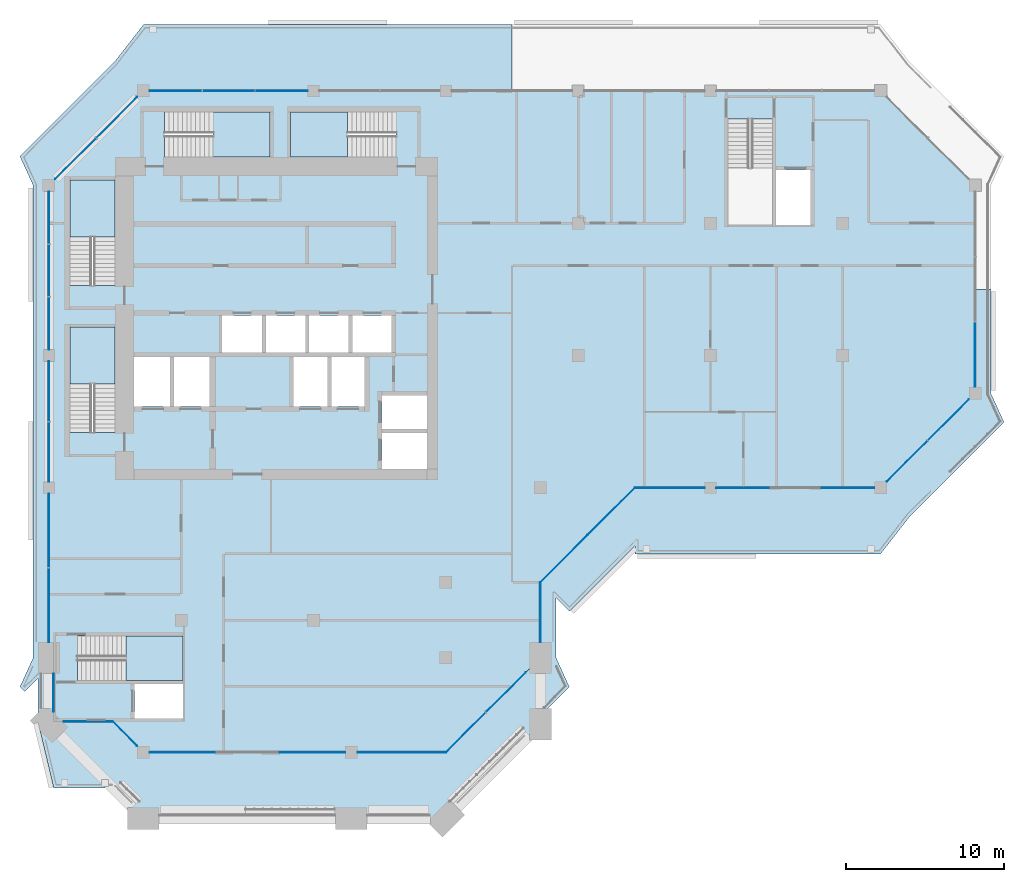
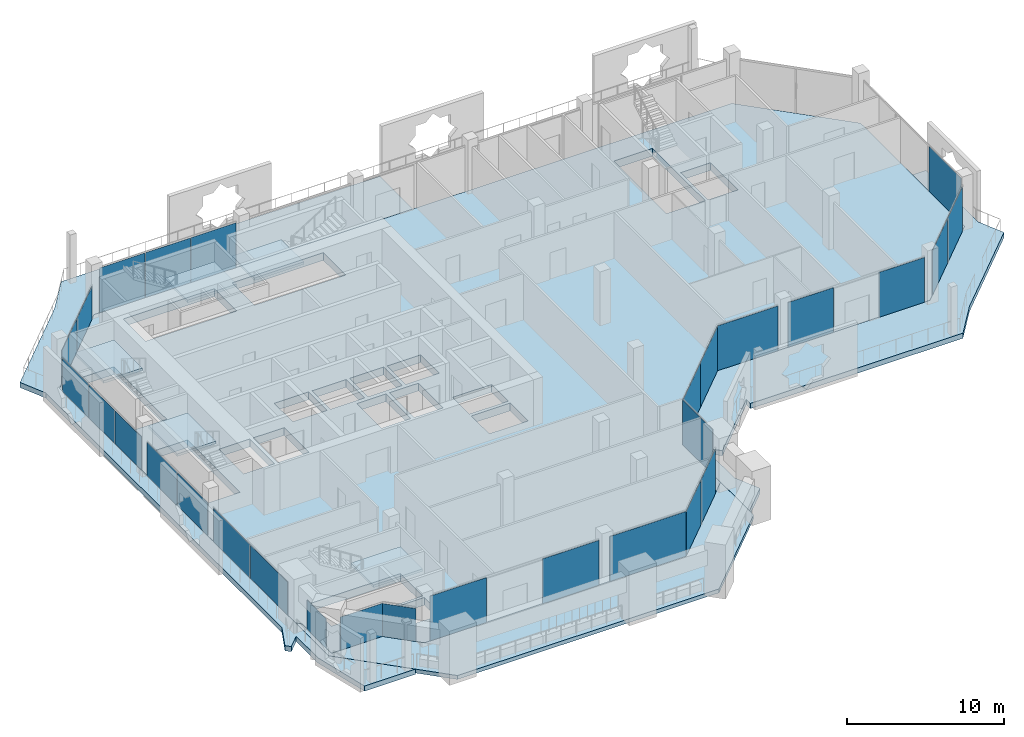
# One storey, part 9 of 20: 29 plates, 9 slabs, 18 elements without a shape of their own.
"""IFC4 building model written with IfcOpenShell, lengths in metres."""

from ifc_helpers import new_model, si_unit, direction, frame, origin, origin_2d, place, context, subcontext, project, spatial, polyline, rectangle, outline, extrude, material, layer, layer_set, type_object, element, aggregate, save


model = new_model("IFC4")

# Units and contexts
model_context = context("Model", 3, precision=1e-05, world=origin(), true_north=direction((0.0, 1.0)))
body_context = subcontext(model_context, "Body", "Model", "MODEL_VIEW")
ifc_project = project(units=[si_unit("LENGTHUNIT", "METRE"), si_unit("AREAUNIT", "SQUARE_METRE"), si_unit("VOLUMEUNIT", "CUBIC_METRE"), si_unit("PLANEANGLEUNIT", "RADIAN"), si_unit("MASSUNIT", "GRAM", prefix="KILO")], contexts=[model_context])

# Site, building, storey
site_placement = place(None, origin())
site = spatial("IfcSite", under=ifc_project, at=site_placement, CompositionType="ELEMENT")
building_placement = place(site_placement, origin())
building = spatial("IfcBuilding", under=site, at=building_placement, Name="Kawkab Arch Medical Tower", CompositionType="ELEMENT")
storey_placement = place(building_placement, frame((0.0, 0.0, 290.199951171875)))
storey = spatial("IfcBuildingStorey", under=building, at=storey_placement, Name="L67", CompositionType="ELEMENT", Elevation=290.199951171875)

# Curtain wall, plates
ifc_material_1 = material(Name="Bronze anodised aluminium curtain wall frame", Category="aluminium")
ifc_layer_1 = layer(ifc_material_1, 0.159912109375)
ifc_layer_set_1 = layer_set([ifc_layer_1], Name="Bronze anodised aluminium curtain wall frame")
curtain_wall_type_1 = type_object("IfcCurtainWallType", Name="CW1 ward curtain wall", PredefinedType="NOTDEFINED", material=ifc_layer_set_1)
placement_1 = place(storey_placement, origin())
curtain_wall_1 = element("IfcCurtainWall", 1, at=placement_1, inside=storey, type_object=curtain_wall_type_1, Name="CW1 Ward curtain wall R02", PredefinedType="NOTDEFINED")
ifc_material_2 = material(Name="Tinted insulating glass, bronze low-e coating", Category="glass")
ifc_layer_2 = layer(ifc_material_2, 0.031982421875)
ifc_layer_set_2 = layer_set([ifc_layer_2], Name="Tinted insulating glass, bronze low-e coating")
plate_type_1 = type_object("IfcPlateType", Name="CW1 glazing unit 32", PredefinedType="CURTAIN_PANEL", material=ifc_layer_set_2)
plate_1_placement = place(storey_placement, frame((0.0, -8.055908203125, 0.0), z_axis=(0.0, 0.0, 1.0), x_axis=(0.0, -1.0, 0.0)))
plate_1 = element("IfcPlate", 2, at=plate_1_placement, type_object=plate_type_1, Name="CW1 glazing unit 1.1", PredefinedType="CURTAIN_PANEL", context=body_context, shape_type="SweptSolid", body=[
    extrude(rectangle(XDim=3.311767578125, YDim=0.031982421875, at=origin_2d()), origin(), (0.0, 0.0, 1.0), 2.580078125),
])
plate_2_placement = place(storey_placement, frame((0.0, -11.41259765625, 0.0), z_axis=(0.0, 0.0, 1.0), x_axis=(0.0, -1.0, 0.0)))
plate_2 = element("IfcPlate", 3, at=plate_2_placement, type_object=plate_type_1, Name="CW1 glazing unit 1.2", PredefinedType="CURTAIN_PANEL", context=body_context, shape_type="SweptSolid", body=[
    extrude(rectangle(XDim=3.28173828125, YDim=0.031982421875, at=origin_2d()), origin(), (0.0, 0.0, 1.0), 2.580078125),
])
plate_3_placement = place(storey_placement, frame((0.0, -14.769287109375, 0.0), z_axis=(0.0, 0.0, 1.0), x_axis=(0.0, -1.0, 0.0)))
plate_3 = element("IfcPlate", 4, at=plate_3_placement, type_object=plate_type_1, Name="CW1 glazing unit 1.3", PredefinedType="CURTAIN_PANEL", context=body_context, shape_type="SweptSolid", body=[
    extrude(rectangle(XDim=3.311767578125, YDim=0.031982421875, at=origin_2d()), origin(), (0.0, 0.0, 1.0), 2.580078125),
])
plate_4_placement = place(storey_placement, frame((0.0, -19.072509765625, 0.0), z_axis=(0.0, 0.0, 1.0), x_axis=(0.0, -1.0, 0.0)))
plate_4 = element("IfcPlate", 5, at=plate_4_placement, type_object=plate_type_1, Name="CW1 glazing unit 2.1", PredefinedType="CURTAIN_PANEL", context=body_context, shape_type="SweptSolid", body=[
    extrude(rectangle(XDim=3.794921875, YDim=0.031982421875, at=origin_2d()), origin(), (0.0, 0.0, 1.0), 2.580078125),
])
plate_5_placement = place(storey_placement, frame((0.0, -22.927490234375, 0.0), z_axis=(0.0, 0.0, 1.0), x_axis=(0.0, -1.0, 0.0)))
plate_5 = element("IfcPlate", 6, at=plate_5_placement, type_object=plate_type_1, Name="CW1 glazing unit 2.2", PredefinedType="CURTAIN_PANEL", context=body_context, shape_type="SweptSolid", body=[
    extrude(rectangle(XDim=3.794921875, YDim=0.031982421875, at=origin_2d()), origin(), (0.0, 0.0, 1.0), 2.580078125),
])
plate_6_placement = place(storey_placement, frame((0.0, -27.916259765625, 0.0), z_axis=(0.0, 0.0, 1.0), x_axis=(0.0, -1.0, 0.0)))
plate_6 = element("IfcPlate", 7, at=plate_6_placement, type_object=plate_type_1, Name="CW1 glazing unit 3.1", PredefinedType="CURTAIN_PANEL", context=body_context, shape_type="SweptSolid", body=[
    extrude(rectangle(XDim=4.6826171875, YDim=0.031982421875, at=origin_2d()), origin(), (0.0, 0.0, 1.0), 2.580078125),
])
plate_7_placement = place(storey_placement, frame((0.0, -32.65869140625, 0.0), z_axis=(0.0, 0.0, 1.0), x_axis=(0.0, -1.0, 0.0)))
plate_7 = element("IfcPlate", 8, at=plate_7_placement, type_object=plate_type_1, Name="CW1 glazing unit 3.2", PredefinedType="CURTAIN_PANEL", context=body_context, shape_type="SweptSolid", body=[
    extrude(rectangle(XDim=4.6826171875, YDim=0.031982421875, at=origin_2d()), origin(), (0.0, 0.0, 1.0), 2.580078125),
])
aggregate(curtain_wall_1, [plate_1, plate_2, plate_3, plate_4, plate_5, plate_6, plate_7])

# Curtain wall, plate
curtain_wall_2 = element("IfcCurtainWall", 9, at=placement_1, inside=storey, type_object=curtain_wall_type_1, Name="CW1 Ward curtain wall R04", PredefinedType="NOTDEFINED")
plate_8_placement = place(storey_placement, frame((0.300048828125, -38.205078125, 0.0), z_axis=(0.0, 0.0, 1.0), x_axis=(0.0, -1.0, 0.0)))
plate_8 = element("IfcPlate", 10, at=plate_8_placement, type_object=plate_type_1, Name="CW1 glazing unit 1.1", PredefinedType="CURTAIN_PANEL", context=body_context, shape_type="SweptSolid", body=[
    extrude(rectangle(XDim=2.41015625, YDim=0.031982421875, at=origin_2d()), origin(), (0.0, 0.0, 1.0), 2.280029296875),
])
aggregate(curtain_wall_2, [plate_8])

curtain_wall_3 = element("IfcCurtainWall", 11, at=placement_1, inside=storey, type_object=curtain_wall_type_1, Name="CW1 Ward curtain wall R05", PredefinedType="NOTDEFINED")
plate_9_placement = place(storey_placement, frame((2.494873046875, -40.050048828125, 0.0), z_axis=(0.0, 0.0, 1.0), x_axis=(1.0, 0.0, 0.0)))
plate_9 = element("IfcPlate", 12, at=plate_9_placement, type_object=plate_type_1, Name="CW1 glazing unit 1.1", PredefinedType="CURTAIN_PANEL", context=body_context, shape_type="SweptSolid", body=[
    extrude(rectangle(XDim=3.110107421875, YDim=0.031982421875, at=origin_2d()), origin(), (0.0, 0.0, 1.0), 2.580078125),
])
aggregate(curtain_wall_3, [plate_9])

# Curtain wall, plates
curtain_wall_4 = element("IfcCurtainWall", 13, at=placement_1, inside=storey, type_object=curtain_wall_type_1, Name="CW1 Ward curtain wall R07", PredefinedType="NOTDEFINED")
plate_10_placement = place(storey_placement, frame((8.466552734375, -42.0, 0.0), z_axis=(0.0, 0.0, 1.0), x_axis=(1.0, 0.0, 0.0)))
plate_10 = element("IfcPlate", 14, at=plate_10_placement, type_object=plate_type_1, Name="CW1 glazing unit 1.1", PredefinedType="CURTAIN_PANEL", context=body_context, shape_type="SweptSolid", body=[
    extrude(rectangle(XDim=4.13330078125, YDim=0.031982421875, at=origin_2d()), origin(), (0.0, 0.0, 1.0), 3.47998046875),
])
plate_11_placement = place(storey_placement, frame((16.7333984375, -42.0, 0.0), z_axis=(0.0, 0.0, 1.0), x_axis=(1.0, 0.0, 0.0)))
plate_11 = element("IfcPlate", 15, at=plate_11_placement, type_object=plate_type_1, Name="CW1 glazing unit 1.3", PredefinedType="CURTAIN_PANEL", context=body_context, shape_type="SweptSolid", body=[
    extrude(rectangle(XDim=4.13330078125, YDim=0.031982421875, at=origin_2d()), origin(), (0.0, 0.0, 1.0), 3.47998046875),
])
plate_12_placement = place(storey_placement, frame((22.39990234375, -42.0, 0.0), z_axis=(0.0, 0.0, 1.0), x_axis=(1.0, 0.0, 0.0)))
plate_12 = element("IfcPlate", 16, at=plate_12_placement, type_object=plate_type_1, Name="CW1 glazing unit 2.1", PredefinedType="CURTAIN_PANEL", context=body_context, shape_type="SweptSolid", body=[
    extrude(rectangle(XDim=5.60009765625, YDim=0.031982421875, at=origin_2d()), origin(), (0.0, 0.0, 1.0), 3.47998046875),
])
aggregate(curtain_wall_4, [plate_10, plate_11, plate_12])

# Curtain wall, plate
curtain_wall_5 = element("IfcCurtainWall", 17, at=placement_1, inside=storey, type_object=curtain_wall_type_1, Name="CW1 Ward curtain wall R09", PredefinedType="NOTDEFINED")
plate_13_placement = place(storey_placement, frame((31.199951171875, -33.10009765625, 0.0), z_axis=(0.0, 0.0, 1.0), x_axis=(0.0, 1.0, 0.0)))
plate_13 = element("IfcPlate", 18, at=plate_13_placement, type_object=plate_type_1, Name="CW1 glazing unit 1.1", PredefinedType="CURTAIN_PANEL", context=body_context, shape_type="SweptSolid", body=[
    extrude(rectangle(XDim=3.800048828125, YDim=0.031982421875, at=origin_2d()), origin(), (0.0, 0.0, 1.0), 3.47998046875),
])
aggregate(curtain_wall_5, [plate_13])

# Curtain wall, plates
curtain_wall_6 = element("IfcCurtainWall", 19, at=placement_1, inside=storey, type_object=curtain_wall_type_1, Name="CW1 Ward curtain wall R11", PredefinedType="NOTDEFINED")
plate_14_placement = place(storey_placement, frame((39.41259765625, -25.199951171875, 0.0), z_axis=(0.0, 0.0, 1.0), x_axis=(1.0, 0.0, 0.0)))
plate_14 = element("IfcPlate", 20, at=plate_14_placement, type_object=plate_type_1, Name="CW1 glazing unit 1.1", PredefinedType="CURTAIN_PANEL", context=body_context, shape_type="SweptSolid", body=[
    extrude(rectangle(XDim=4.425048828125, YDim=0.031982421875, at=origin_2d()), origin(), (0.0, 0.0, 1.0), 3.47998046875),
])
plate_15_placement = place(storey_placement, frame((44.0458984375, -25.199951171875, 0.0), z_axis=(0.0, 0.0, 1.0), x_axis=(1.0, 0.0, 0.0)))
plate_15 = element("IfcPlate", 21, at=plate_15_placement, type_object=plate_type_1, Name="CW1 glazing unit 2.1", PredefinedType="CURTAIN_PANEL", context=body_context, shape_type="SweptSolid", body=[
    extrude(rectangle(XDim=3.341552734375, YDim=0.031982421875, at=origin_2d()), origin(), (0.0, 0.0, 1.0), 3.47998046875),
])
plate_16_placement = place(storey_placement, frame((50.729248046875, -25.199951171875, 0.0), z_axis=(0.0, 0.0, 1.0), x_axis=(1.0, 0.0, 0.0)))
plate_16 = element("IfcPlate", 22, at=plate_16_placement, type_object=plate_type_1, Name="CW1 glazing unit 2.3", PredefinedType="CURTAIN_PANEL", context=body_context, shape_type="SweptSolid", body=[
    extrude(rectangle(XDim=3.341552734375, YDim=0.031982421875, at=origin_2d()), origin(), (0.0, 0.0, 1.0), 3.47998046875),
])
aggregate(curtain_wall_6, [plate_14, plate_15, plate_16])

# Curtain wall, plate
curtain_wall_7 = element("IfcCurtainWall", 23, at=placement_1, inside=storey, type_object=curtain_wall_type_1, Name="CW1 Ward curtain wall R13", PredefinedType="NOTDEFINED")
plate_17_placement = place(storey_placement, frame((58.800048828125, -16.748291015625, 0.0), z_axis=(0.0, 0.0, 1.0), x_axis=(0.0, 1.0, 0.0)))
plate_17 = element("IfcPlate", 24, at=plate_17_placement, type_object=plate_type_1, Name="CW1 glazing unit 1.1", PredefinedType="CURTAIN_PANEL", context=body_context, shape_type="SweptSolid", body=[
    extrude(rectangle(XDim=4.103271484375, YDim=0.031982421875, at=origin_2d()), origin(), (0.0, 0.0, 1.0), 3.47998046875),
])
aggregate(curtain_wall_7, [plate_17])

# Curtain wall, plates
curtain_wall_8 = element("IfcCurtainWall", 25, at=placement_1, inside=storey, type_object=curtain_wall_type_1, Name="CW1 Ward curtain wall R15", PredefinedType="NOTDEFINED")
plate_18_placement = place(storey_placement, frame((14.769287109375, 0.0, 0.0), z_axis=(0.0, 0.0, 1.0), x_axis=(-1.0, 0.0, 0.0)))
plate_18 = element("IfcPlate", 26, at=plate_18_placement, type_object=plate_type_1, Name="CW1 glazing unit 5.1", PredefinedType="CURTAIN_PANEL", context=body_context, shape_type="SweptSolid", body=[
    extrude(rectangle(XDim=3.311767578125, YDim=0.031982421875, at=origin_2d()), origin(), (0.0, 0.0, 1.0), 3.47998046875),
])
plate_19_placement = place(storey_placement, frame((11.41259765625, 0.0, 0.0), z_axis=(0.0, 0.0, 1.0), x_axis=(-1.0, 0.0, 0.0)))
plate_19 = element("IfcPlate", 27, at=plate_19_placement, type_object=plate_type_1, Name="CW1 glazing unit 5.2", PredefinedType="CURTAIN_PANEL", context=body_context, shape_type="SweptSolid", body=[
    extrude(rectangle(XDim=3.28173828125, YDim=0.031982421875, at=origin_2d()), origin(), (0.0, 0.0, 1.0), 3.47998046875),
])
plate_20_placement = place(storey_placement, frame((8.055908203125, 0.0, 0.0), z_axis=(0.0, 0.0, 1.0), x_axis=(-1.0, 0.0, 0.0)))
plate_20 = element("IfcPlate", 28, at=plate_20_placement, type_object=plate_type_1, Name="CW1 glazing unit 5.3", PredefinedType="CURTAIN_PANEL", context=body_context, shape_type="SweptSolid", body=[
    extrude(rectangle(XDim=3.311767578125, YDim=0.031982421875, at=origin_2d()), origin(), (0.0, 0.0, 1.0), 3.47998046875),
])
aggregate(curtain_wall_8, [plate_18, plate_19, plate_20])

ifc_material_3 = material(Name="Bronze anodised aluminium curtain wall frame", Category="aluminium")
ifc_layer_3 = layer(ifc_material_3, 0.159912109375)
ifc_layer_set_3 = layer_set([ifc_layer_3], Name="Bronze anodised aluminium curtain wall frame")
curtain_wall_type_2 = type_object("IfcCurtainWallType", Name="CW2 chamfer curtain wall", PredefinedType="NOTDEFINED", material=ifc_layer_set_3)
curtain_wall_9 = element("IfcCurtainWall", 29, at=placement_1, inside=storey, type_object=curtain_wall_type_2, Name="CW2 Chamfer curtain wall R01", PredefinedType="NOTDEFINED")
ifc_material_4 = material(Name="Tinted insulating glass, bronze low-e coating", Category="glass")
ifc_layer_4 = layer(ifc_material_4, 0.031982421875)
ifc_layer_set_4 = layer_set([ifc_layer_4], Name="Tinted insulating glass, bronze low-e coating")
plate_type_2 = type_object("IfcPlateType", Name="CW2 glazing unit 32", PredefinedType="CURTAIN_PANEL", material=ifc_layer_set_4)
plate_21_placement = place(storey_placement, frame((4.310546875, -1.689453125, 0.0), z_axis=(0.0, 0.0, 1.0), x_axis=(-0.707106781187, -0.707106781187, 0.0)))
plate_21 = element("IfcPlate", 30, at=plate_21_placement, type_object=plate_type_2, Name="CW2 glazing unit 1.1", PredefinedType="CURTAIN_PANEL", context=body_context, shape_type="SweptSolid", body=[
    extrude(rectangle(XDim=3.64697265625, YDim=0.031982421875, at=origin_2d()), origin(), (0.0, 0.0, 1.0), 2.56005859375),
])
plate_22_placement = place(storey_placement, frame((1.689453125, -4.310546875, 0.0), z_axis=(0.0, 0.0, 1.0), x_axis=(-0.707106781187, -0.707106781187, 0.0)))
plate_22 = element("IfcPlate", 31, at=plate_22_placement, type_object=plate_type_2, Name="CW2 glazing unit 1.2", PredefinedType="CURTAIN_PANEL", context=body_context, shape_type="SweptSolid", body=[
    extrude(rectangle(XDim=3.64697265625, YDim=0.031982421875, at=origin_2d()), origin(), (0.0, 0.0, 1.0), 2.56005859375),
])
aggregate(curtain_wall_9, [plate_21, plate_22])

# Curtain wall, plate
curtain_wall_10 = element("IfcCurtainWall", 32, at=placement_1, inside=storey, type_object=curtain_wall_type_2, Name="CW2 Chamfer curtain wall R06", PredefinedType="NOTDEFINED")
plate_23_placement = place(storey_placement, frame((4.824951171875, -40.824951171875, 0.0), z_axis=(0.0, 0.0, 1.0), x_axis=(0.707106781187, -0.707106781187, 0.0)))
plate_23 = element("IfcPlate", 33, at=plate_23_placement, type_object=plate_type_2, Name="CW2 glazing unit 1.1", PredefinedType="CURTAIN_PANEL", context=body_context, shape_type="SweptSolid", body=[
    extrude(rectangle(XDim=2.192138671875, YDim=0.031982421875, at=origin_2d()), origin(), (0.0, 0.0, 1.0), 2.56005859375),
])
aggregate(curtain_wall_10, [plate_23])

# Curtain wall, plates
curtain_wall_11 = element("IfcCurtainWall", 34, at=placement_1, inside=storey, type_object=curtain_wall_type_2, Name="CW2 Chamfer curtain wall R08", PredefinedType="NOTDEFINED")
plate_24_placement = place(storey_placement, frame((26.456787109375, -40.7431640625, 0.0), z_axis=(0.0, 0.0, 1.0), x_axis=(0.707106781187, 0.707106781187, 0.0)))
plate_24 = element("IfcPlate", 35, at=plate_24_placement, type_object=plate_type_2, Name="CW2 glazing unit 1.1", PredefinedType="CURTAIN_PANEL", context=body_context, shape_type="SweptSolid", body=[
    extrude(rectangle(XDim=3.5546875, YDim=0.031982421875, at=origin_2d()), origin(), (0.0, 0.0, 1.0), 3.4599609375),
])
plate_25_placement = place(storey_placement, frame((29.012939453125, -38.187255859375, 0.0), z_axis=(0.0, 0.0, 1.0), x_axis=(0.707106781187, 0.707106781187, 0.0)))
plate_25 = element("IfcPlate", 36, at=plate_25_placement, type_object=plate_type_2, Name="CW2 glazing unit 1.2", PredefinedType="CURTAIN_PANEL", context=body_context, shape_type="SweptSolid", body=[
    extrude(rectangle(XDim=3.5546875, YDim=0.031982421875, at=origin_2d()), origin(), (0.0, 0.0, 1.0), 3.4599609375),
])
aggregate(curtain_wall_11, [plate_24, plate_25])

curtain_wall_12 = element("IfcCurtainWall", 37, at=placement_1, inside=storey, type_object=curtain_wall_type_2, Name="CW2 Chamfer curtain wall R10", PredefinedType="NOTDEFINED")
plate_26_placement = place(storey_placement, frame((32.699951171875, -29.699951171875, 0.0), z_axis=(0.0, 0.0, 1.0), x_axis=(0.707106781187, 0.707106781187, 0.0)))
plate_26 = element("IfcPlate", 38, at=plate_26_placement, type_object=plate_type_2, Name="CW2 glazing unit 1.1", PredefinedType="CURTAIN_PANEL", context=body_context, shape_type="SweptSolid", body=[
    extrude(rectangle(XDim=4.24267578125, YDim=0.031982421875, at=origin_2d()), origin(), (0.0, 0.0, 1.0), 3.4599609375),
])
plate_27_placement = place(storey_placement, frame((35.699951171875, -26.699951171875, 0.0), z_axis=(0.0, 0.0, 1.0), x_axis=(0.707106781187, 0.707106781187, 0.0)))
plate_27 = element("IfcPlate", 39, at=plate_27_placement, type_object=plate_type_2, Name="CW2 glazing unit 2.1", PredefinedType="CURTAIN_PANEL", context=body_context, shape_type="SweptSolid", body=[
    extrude(rectangle(XDim=4.24267578125, YDim=0.031982421875, at=origin_2d()), origin(), (0.0, 0.0, 1.0), 3.4599609375),
])
aggregate(curtain_wall_12, [plate_26, plate_27])

curtain_wall_13 = element("IfcCurtainWall", 40, at=placement_1, inside=storey, type_object=curtain_wall_type_2, Name="CW2 Chamfer curtain wall R12", PredefinedType="NOTDEFINED")
plate_28_placement = place(storey_placement, frame((54.489501953125, -23.510498046875, 0.0), z_axis=(0.0, 0.0, 1.0), x_axis=(0.707106781187, 0.707106781187, 0.0)))
plate_28 = element("IfcPlate", 41, at=plate_28_placement, type_object=plate_type_2, Name="CW2 glazing unit 1.1", PredefinedType="CURTAIN_PANEL", context=body_context, shape_type="SweptSolid", body=[
    extrude(rectangle(XDim=3.64697265625, YDim=0.031982421875, at=origin_2d()), origin(), (0.0, 0.0, 1.0), 3.4599609375),
])
plate_29_placement = place(storey_placement, frame((57.110595703125, -20.889404296875, 0.0), z_axis=(0.0, 0.0, 1.0), x_axis=(0.707106781187, 0.707106781187, 0.0)))
plate_29 = element("IfcPlate", 42, at=plate_29_placement, type_object=plate_type_2, Name="CW2 glazing unit 1.2", PredefinedType="CURTAIN_PANEL", context=body_context, shape_type="SweptSolid", body=[
    extrude(rectangle(XDim=3.64697265625, YDim=0.031982421875, at=origin_2d()), origin(), (0.0, 0.0, 1.0), 3.4599609375),
])
aggregate(curtain_wall_13, [plate_28, plate_29])

# Stair, slab
ifc_material_5 = material(Name="Concrete C40/50", Category="concrete")
stair_type = type_object("IfcStairType", Name="Exit stair 1350", PredefinedType="HALF_TURN_STAIR", material=ifc_material_5)
stair_1 = element("IfcStair", 43, at=placement_1, inside=storey, type_object=stair_type, Name="L67 Exit stair ST1", PredefinedType="HALF_TURN_STAIR")
ifc_material_6 = material(Name="Concrete C40/50", Category="concrete")
ifc_layer_5 = layer(ifc_material_6, 0.199951171875)
ifc_layer_set_5 = layer_set([ifc_layer_5], Name="Concrete C40/50")
slab_type_1 = type_object("IfcSlabType", Name="Exit stair landing 200", PredefinedType="LANDING", material=ifc_layer_set_5)
placement_2 = place(storey_placement, frame((0.0, 0.0, 1.900146484375)))
slab_1 = element("IfcSlab", 44, at=placement_2, type_object=slab_type_1, Name="ST1 landing 1", PredefinedType="LANDING", context=body_context, shape_type="SweptSolid", body=[
    extrude(outline(polyline([(4.199951171875, -9.27001953125), (4.199951171875, -5.64990234375), (1.35009765625, -5.64990234375), (1.35009765625, -9.27001953125), (4.199951171875, -9.27001953125)])), origin(), (0.0, 0.0, 1.0), 0.199951171875),
])
aggregate(stair_1, [slab_1])

stair_2 = element("IfcStair", 45, at=placement_1, inside=storey, type_object=stair_type, Name="L67 Exit stair ST2", PredefinedType="HALF_TURN_STAIR")
slab_2 = element("IfcSlab", 46, at=placement_2, type_object=slab_type_1, Name="ST2 landing 1", PredefinedType="LANDING", context=body_context, shape_type="SweptSolid", body=[
    extrude(outline(polyline([(4.199951171875, -18.6201171875), (4.199951171875, -15.0), (1.35009765625, -15.0), (1.35009765625, -18.6201171875), (4.199951171875, -18.6201171875)])), origin(), (0.0, 0.0, 1.0), 0.199951171875),
])
aggregate(stair_2, [slab_2])

stair_3 = element("IfcStair", 47, at=placement_1, inside=storey, type_object=stair_type, Name="L67 Exit stair ST3", PredefinedType="HALF_TURN_STAIR")
slab_3 = element("IfcSlab", 48, at=placement_2, type_object=slab_type_1, Name="ST3 landing 1", PredefinedType="LANDING", context=body_context, shape_type="SweptSolid", body=[
    extrude(outline(polyline([(10.429931640625, -4.199951171875), (14.050048828125, -4.199951171875), (14.050048828125, -1.35009765625), (10.429931640625, -1.35009765625), (10.429931640625, -4.199951171875)])), origin(), (0.0, 0.0, 1.0), 0.199951171875),
])
aggregate(stair_3, [slab_3])

stair_4 = element("IfcStair", 49, at=placement_1, inside=storey, type_object=stair_type, Name="L67 Exit stair ST4", PredefinedType="HALF_TURN_STAIR")
slab_4 = element("IfcSlab", 50, at=placement_2, type_object=slab_type_1, Name="ST4 landing 1", PredefinedType="LANDING", context=body_context, shape_type="SweptSolid", body=[
    extrude(outline(polyline([(18.969970703125, -1.35009765625), (15.35009765625, -1.35009765625), (15.35009765625, -4.199951171875), (18.969970703125, -4.199951171875), (18.969970703125, -1.35009765625)])), origin(), (0.0, 0.0, 1.0), 0.199951171875),
])
aggregate(stair_4, [slab_4])

stair_5 = element("IfcStair", 51, at=placement_1, inside=storey, type_object=stair_type, Name="L67 Exit stair ST6", PredefinedType="HALF_TURN_STAIR")
slab_5 = element("IfcSlab", 52, at=placement_2, type_object=slab_type_1, Name="ST6 landing 1", PredefinedType="LANDING", context=body_context, shape_type="SweptSolid", body=[
    extrude(outline(polyline([(4.8798828125, -37.449951171875), (8.5, -37.449951171875), (8.5, -34.60009765625), (4.8798828125, -34.60009765625), (4.8798828125, -37.449951171875)])), origin(), (0.0, 0.0, 1.0), 0.199951171875),
])
aggregate(stair_5, [slab_5])

# Slabs
ifc_material_7 = material(Name="Concrete C45/55", Category="concrete")
ifc_layer_6 = layer(ifc_material_7, 0.60009765625)
ifc_layer_set_6 = layer_set([ifc_layer_6], Name="Concrete C45/55")
slab_type_2 = type_object("IfcSlabType", Name="Flat plate 600 C45/55", PredefinedType="FLOOR", material=ifc_layer_set_6)
slab_6_placement = place(storey_placement, frame((0.0, 0.0, -0.599853515625)))
element("IfcSlab", 53, at=slab_6_placement, inside=storey, type_object=slab_type_2, Name="Floor slab L67", PredefinedType="FLOOR", context=body_context, shape_type="SweptSolid", body=[
    extrude(outline(polyline([(52.800048828125, 0.0), (58.800048828125, -6.0), (58.800048828125, -19.199951171875), (52.800048828125, -25.199951171875), (37.199951171875, -25.199951171875), (31.199951171875, -31.199951171875), (31.199951171875, -36.0), (25.199951171875, -42.0), (6.0, -42.0), (4.050048828125, -40.050048828125), (0.300048828125, -40.050048828125), (0.300048828125, -36.300048828125), (0.0, -36.0), (0.0, -6.0), (6.0, 0.0), (52.800048828125, 0.0)]), holes=[polyline([(5.425048828125, -37.64990234375), (5.425048828125, -39.85009765625), (8.5, -39.85009765625), (8.5, -37.64990234375), (5.425048828125, -37.64990234375)]), polyline([(8.5, -37.449951171875), (8.5, -34.60009765625), (1.800048828125, -34.60009765625), (1.800048828125, -37.449951171875), (8.5, -37.449951171875)]), polyline([(5.39990234375, -20.050048828125), (7.675048828125, -20.050048828125), (7.675048828125, -16.89990234375), (5.39990234375, -16.89990234375), (5.39990234375, -20.050048828125)]), polyline([(10.199951171875, -16.89990234375), (7.925048828125, -16.89990234375), (7.925048828125, -20.050048828125), (10.199951171875, -20.050048828125), (10.199951171875, -16.89990234375)]), polyline([(4.199951171875, -15.0), (1.35009765625, -15.0), (1.35009765625, -21.699951171875), (4.199951171875, -21.699951171875), (4.199951171875, -15.0)]), polyline([(11.0, -16.60009765625), (13.52490234375, -16.60009765625), (13.52490234375, -14.25), (11.0, -14.25), (11.0, -16.60009765625)]), polyline([(16.27490234375, -14.25), (13.77490234375, -14.25), (13.77490234375, -16.60009765625), (16.27490234375, -16.60009765625), (16.27490234375, -14.25)]), polyline([(4.199951171875, -12.35009765625), (4.199951171875, -5.64990234375), (1.35009765625, -5.64990234375), (1.35009765625, -12.35009765625), (4.199951171875, -12.35009765625)]), polyline([(7.35009765625, -4.199951171875), (14.050048828125, -4.199951171875), (14.050048828125, -1.35009765625), (7.35009765625, -1.35009765625), (7.35009765625, -4.199951171875)]), polyline([(24.0, -21.72509765625), (21.14990234375, -21.72509765625), (21.14990234375, -24.0), (24.0, -24.0), (24.0, -21.72509765625)]), polyline([(24.0, -19.35009765625), (21.14990234375, -19.35009765625), (21.14990234375, -21.47509765625), (24.0, -21.47509765625), (24.0, -19.35009765625)]), polyline([(17.675048828125, -16.89990234375), (15.52490234375, -16.89990234375), (15.52490234375, -20.050048828125), (17.675048828125, -20.050048828125), (17.675048828125, -16.89990234375)]), polyline([(20.050048828125, -16.89990234375), (17.925048828125, -16.89990234375), (17.925048828125, -20.050048828125), (20.050048828125, -20.050048828125), (20.050048828125, -16.89990234375)]), polyline([(19.02490234375, -16.60009765625), (19.02490234375, -14.25), (16.52490234375, -14.25), (16.52490234375, -16.60009765625), (19.02490234375, -16.60009765625)]), polyline([(21.75, -16.60009765625), (21.75, -14.25), (19.27490234375, -14.25), (19.27490234375, -16.60009765625), (21.75, -16.60009765625)]), polyline([(46.14990234375, -8.5), (48.35009765625, -8.5), (48.35009765625, -5.02490234375), (46.14990234375, -5.02490234375), (46.14990234375, -8.5)]), polyline([(43.10009765625, -1.800048828125), (43.10009765625, -8.5), (45.949951171875, -8.5), (45.949951171875, -1.800048828125), (43.10009765625, -1.800048828125)]), polyline([(22.050048828125, -1.35009765625), (15.35009765625, -1.35009765625), (15.35009765625, -4.199951171875), (22.050048828125, -4.199951171875), (22.050048828125, -1.35009765625)])]), origin(), (0.0, 0.0, 1.0), 0.599853515625),
])
ifc_material_8 = material(Name="Concrete C40/50", Category="concrete")
ifc_layer_7 = layer(ifc_material_8, 0.39990234375)
ifc_layer_set_7 = layer_set([ifc_layer_7], Name="Concrete C40/50")
slab_type_3 = type_object("IfcSlabType", Name="Loggia slab 400", PredefinedType="FLOOR", material=ifc_layer_set_7)
placement_3 = place(storey_placement, frame((0.0, 0.0, -0.39990234375)))
element("IfcSlab", 54, at=placement_3, inside=storey, type_object=slab_type_3, Name="Loggia slab L67.1", PredefinedType="FLOOR", context=body_context, shape_type="SweptSolid", body=[
    extrude(outline(polyline([(31.199951171875, -36.0), (31.199951171875, -33.60009765625), (31.199951171875, -31.199951171875), (37.199951171875, -25.199951171875), (52.800048828125, -25.199951171875), (58.800048828125, -19.199951171875), (58.800048828125, -12.60009765625), (59.800048828125, -12.60009765625), (59.800048828125, -19.199951171875), (60.637939453125, -21.0380859375), (54.637939453125, -27.0380859375), (52.800048828125, -29.39990234375), (37.199951171875, -29.39990234375), (37.199951171875, -28.8759765625), (33.0380859375, -33.037109375), (32.199951171875, -32.198974609375), (32.199951171875, -34.155029296875), (32.199951171875, -34.156005859375), (32.199951171875, -36.0), (33.0380859375, -37.837890625), (31.200927734375, -39.675048828125), (31.200927734375, -36.02099609375), (31.199951171875, -36.02099609375), (31.199951171875, -36.01904296875), (31.198974609375, -36.01806640625), (31.197998046875, -36.01708984375), (31.197021484375, -36.01611328125), (31.196044921875, -36.014892578125), (31.194091796875, -36.014892578125), (31.194091796875, -36.013916015625), (31.18798828125, -36.013916015625), (31.199951171875, -36.0)])), origin(), (0.0, 0.0, 1.0), 0.39990234375),
])
element("IfcSlab", 55, at=placement_3, inside=storey, type_object=slab_type_3, Name="Loggia slab L67.2", PredefinedType="FLOOR", context=body_context, shape_type="SweptSolid", body=[
    extrude(outline(polyline([(4.162109375, 1.837890625), (6.0, 4.199951171875), (29.39990234375, 4.199951171875), (29.39990234375, 0.0009765625), (6.0, 0.0009765625), (6.0, 0.0), (0.0, -6.0), (-0.0009765625, -6.0), (-0.0009765625, -36.0), (0.0, -36.0), (0.011962890625, -36.013916015625), (0.006103515625, -36.013916015625), (0.006103515625, -36.014892578125), (0.00390625, -36.014892578125), (0.0029296875, -36.01611328125), (0.0009765625, -36.01806640625), (0.0, -36.01904296875), (0.0, -36.02099609375), (-0.0009765625, -36.02099609375), (-0.0009765625, -40.199951171875), (0.0, -40.199951171875), (0.0, -40.201904296875), (0.0009765625, -40.201904296875), (0.0009765625, -40.202880859375), (0.001953125, -40.2041015625), (4.048095703125, -44.25), (0.300048828125, -44.25), (-0.699951171875, -40.050048828125), (-0.699951171875, -37.299072265625), (-1.5380859375, -38.136962890625), (-1.837890625, -37.837890625), (-1.0, -36.0), (-1.0, -6.0), (-1.837890625, -4.162109375), (4.162109375, 1.837890625)])), origin(), (0.0, 0.0, 1.0), 0.39990234375),
])
ifc_material_9 = material(Name="Concrete C40/50", Category="concrete")
ifc_layer_8 = layer(ifc_material_9, 0.300048828125)
ifc_layer_set_8 = layer_set([ifc_layer_8], Name="Concrete C40/50")
slab_type_4 = type_object("IfcSlabType", Name="Terrace slab 300", PredefinedType="FLOOR", material=ifc_layer_set_8)
slab_9_placement = place(storey_placement, frame((0.0, 0.0, -0.300048828125)))
element("IfcSlab", 56, at=slab_9_placement, inside=storey, type_object=slab_type_4, Name="Terrace slab L67.1", PredefinedType="FLOOR", context=body_context, shape_type="SweptSolid", body=[
    extrude(outline(polyline([(6.0, -42.0), (6.0, -42.0009765625), (25.199951171875, -42.0009765625), (25.199951171875, -42.0), (31.18310546875, -36.01806640625), (31.18408203125, -36.01708984375), (31.18505859375, -36.01611328125), (31.18603515625, -36.01611328125), (31.18701171875, -36.014892578125), (31.18798828125, -36.014892578125), (31.18896484375, -36.014892578125), (31.18994140625, -36.014892578125), (31.19091796875, -36.014892578125), (31.19189453125, -36.014892578125), (31.193115234375, -36.014892578125), (31.194091796875, -36.01611328125), (31.195068359375, -36.01611328125), (31.196044921875, -36.01708984375), (31.197021484375, -36.01806640625), (31.197998046875, -36.01904296875), (31.198974609375, -36.02001953125), (31.198974609375, -36.02099609375), (31.199951171875, -36.02197265625), (31.199951171875, -36.02294921875), (31.199951171875, -36.02392578125), (31.199951171875, -36.02490234375), (31.199951171875, -40.196044921875), (31.199951171875, -40.197021484375), (31.199951171875, -40.197998046875), (31.199951171875, -40.198974609375), (31.198974609375, -40.199951171875), (31.198974609375, -40.200927734375), (31.197998046875, -40.200927734375), (31.197998046875, -40.201904296875), (31.197021484375, -40.202880859375), (25.202880859375, -46.197021484375), (25.201904296875, -46.197998046875), (25.200927734375, -46.197998046875), (25.200927734375, -46.198974609375), (25.199951171875, -46.198974609375), (25.198974609375, -46.199951171875), (25.197998046875, -46.199951171875), (25.197021484375, -46.199951171875), (25.196044921875, -46.199951171875), (6.00390625, -46.199951171875), (6.0029296875, -46.199951171875), (6.001953125, -46.199951171875), (6.0009765625, -46.199951171875), (6.0, -46.198974609375), (5.9990234375, -46.198974609375), (5.9990234375, -46.197998046875), (5.998046875, -46.197998046875), (5.9970703125, -46.197021484375), (0.0029296875, -40.202880859375), (0.001953125, -40.201904296875), (0.001953125, -40.200927734375), (0.0009765625, -40.200927734375), (0.0009765625, -40.199951171875), (0.0, -40.198974609375), (0.0, -40.197998046875), (0.0, -40.197021484375), (0.0, -40.196044921875), (0.0, -36.02490234375), (0.0, -36.02392578125), (0.0, -36.02294921875), (0.0, -36.02197265625), (0.0009765625, -36.02099609375), (0.0009765625, -36.02001953125), (0.001953125, -36.01904296875), (0.0029296875, -36.01806640625), (0.00390625, -36.01708984375), (0.0048828125, -36.01611328125), (0.006103515625, -36.01611328125), (0.007080078125, -36.014892578125), (0.008056640625, -36.014892578125), (0.009033203125, -36.014892578125), (0.010009765625, -36.014892578125), (0.010986328125, -36.014892578125), (0.011962890625, -36.014892578125), (0.012939453125, -36.014892578125), (0.013916015625, -36.01611328125), (0.014892578125, -36.01611328125), (0.01611328125, -36.01708984375), (0.01708984375, -36.01806640625), (0.31494140625, -36.31591796875), (0.31396484375, -36.31494140625), (0.31298828125, -36.31494140625), (0.31201171875, -36.31494140625), (0.31103515625, -36.31494140625), (0.31005859375, -36.31494140625), (0.30908203125, -36.31494140625), (0.30810546875, -36.31494140625), (0.306884765625, -36.31494140625), (0.305908203125, -36.31494140625), (0.304931640625, -36.31591796875), (0.303955078125, -36.31591796875), (0.302978515625, -36.31689453125), (0.302978515625, -36.318115234375), (0.302001953125, -36.318115234375), (0.301025390625, -36.319091796875), (0.301025390625, -36.320068359375), (0.300048828125, -36.321044921875), (0.300048828125, -36.322021484375), (0.300048828125, -36.322998046875), (0.300048828125, -36.323974609375), (0.299072265625, -36.324951171875), (0.299072265625, -40.0400390625), (0.300048828125, -40.041015625), (0.300048828125, -40.0419921875), (0.300048828125, -40.04296875), (0.300048828125, -40.0439453125), (0.301025390625, -40.044921875), (0.301025390625, -40.0458984375), (0.302001953125, -40.047119140625), (0.302978515625, -40.047119140625), (0.302978515625, -40.048095703125), (0.303955078125, -40.049072265625), (0.304931640625, -40.049072265625), (0.305908203125, -40.050048828125), (0.306884765625, -40.050048828125), (0.30810546875, -40.050048828125), (0.30908203125, -40.050048828125), (0.31005859375, -40.050048828125), (4.02587890625, -40.050048828125), (4.027099609375, -40.050048828125), (4.028076171875, -40.050048828125), (4.029052734375, -40.050048828125), (4.030029296875, -40.050048828125), (4.030029296875, -40.049072265625), (4.031005859375, -40.049072265625), (4.031982421875, -40.048095703125), (4.032958984375, -40.047119140625), (4.033935546875, -40.047119140625), (4.033935546875, -40.0458984375), (4.034912109375, -40.044921875), (4.034912109375, -40.0439453125), (4.035888671875, -40.04296875), (4.035888671875, -40.0419921875), (4.035888671875, -40.041015625), (4.035888671875, -40.0400390625), (4.035888671875, -40.0390625), (4.035888671875, -40.0380859375), (4.035888671875, -40.037109375), (4.034912109375, -40.035888671875), (4.034912109375, -40.034912109375), (6.0, -42.0)])), origin(), (0.0, 0.0, 1.0), 0.300048828125),
])

save(model, "model.ifc")
